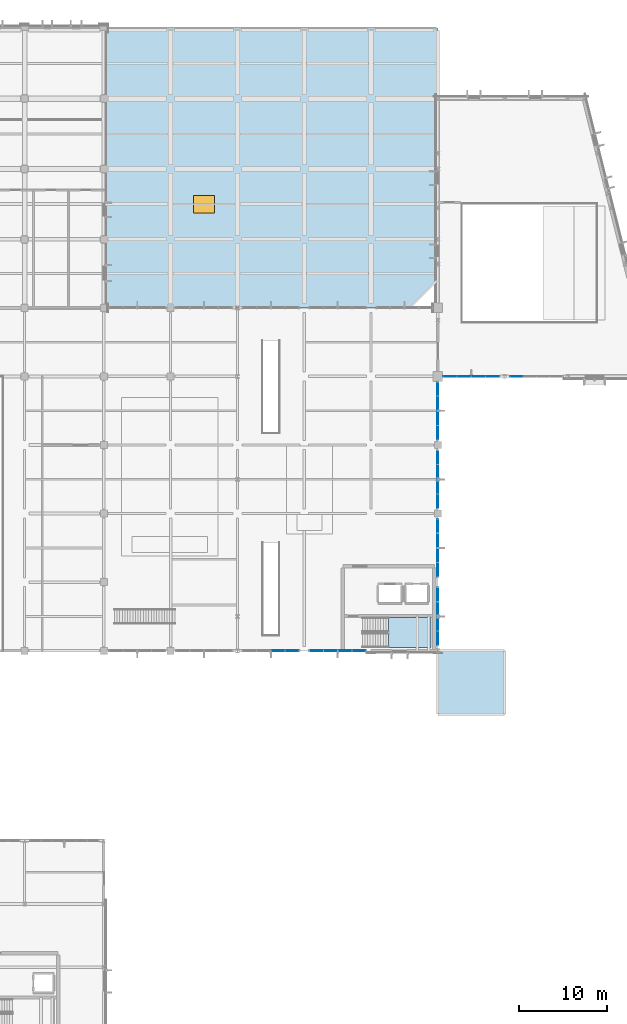
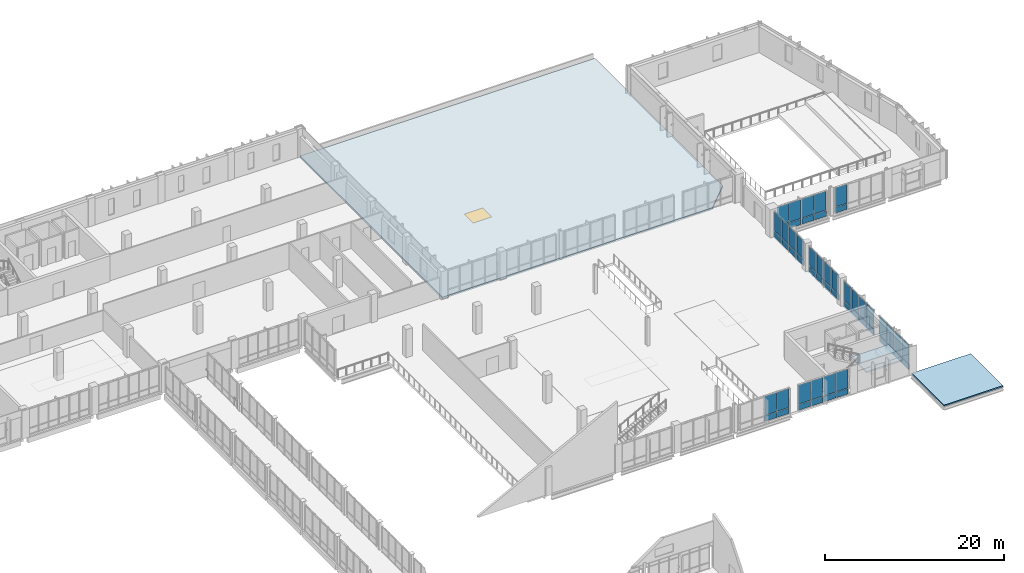
# One storey, part 49 of 85: 54 plates, 3 slabs, 1 window, 1 opening, 15 elements without a shape of their own.
"""IFC4 building model written with IfcOpenShell, lengths in metres."""

from ifc_helpers import new_model, si_unit, direction, frame, origin, origin_2d, place, context, subcontext, project, spatial, polyline, rectangle, outline, extrude, material, layer, layer_set, type_object, element, fill, aggregate, save


model = new_model("IFC4")

# Units and contexts
model_context = context("Model", 3, precision=1e-05, world=origin(), true_north=direction((0.0, 1.0)))
body_context = subcontext(model_context, "Body", "Model", "MODEL_VIEW")
ifc_project = project(units=[si_unit("LENGTHUNIT", "METRE"), si_unit("AREAUNIT", "SQUARE_METRE"), si_unit("VOLUMEUNIT", "CUBIC_METRE"), si_unit("PLANEANGLEUNIT", "RADIAN"), si_unit("MASSUNIT", "GRAM", prefix="KILO")], contexts=[model_context])

# Site, building, storey
site_placement = place(None, origin())
site = spatial("IfcSite", under=ifc_project, at=site_placement, CompositionType="ELEMENT")
building_placement = place(site_placement, origin())
building = spatial("IfcBuilding", under=site, at=building_placement, Name="Vervanel Yard Central Library", CompositionType="ELEMENT")
storey_placement = place(building_placement, frame((0.0, 0.0, 5.10009765625)))
storey = spatial("IfcBuildingStorey", under=building, at=storey_placement, Name="L01", CompositionType="ELEMENT", Elevation=5.10009765625)

# Curtain wall, plates
ifc_material_1 = material(Name="Thermally broken anodized aluminium 6063-T6", Category="aluminium")
curtain_wall_type_1 = type_object("IfcCurtainWallType", Name="Auditorium Foyer Curtain Wall", PredefinedType="NOTDEFINED", material=ifc_material_1)
curtain_wall_1_placement = place(storey_placement, origin())
curtain_wall_1 = element("IfcCurtainWall", 1, at=curtain_wall_1_placement, inside=storey, type_object=curtain_wall_type_1, Name="L01 Auditorium Foyer Curtain Wall CWR-L01-151", PredefinedType="NOTDEFINED")
ifc_material_2 = material(Name="Double low-E laminated solar-control glass", Category="glass")
ifc_layer_1 = layer(ifc_material_2, 0.035888671875, Category="glass")
ifc_layer_set_1 = layer_set([ifc_layer_1], Name="Double low-E laminated solar-control glass")
plate_type_1 = type_object("IfcPlateType", Name="Auditorium Foyer Tinted Panel 36", PredefinedType="CURTAIN_PANEL", material=ifc_layer_set_1)
plate_1_placement = place(storey_placement, frame((147.38623046875, 74.39990234375, 0.88232421875), z_axis=(0.0, 0.0, 1.0), x_axis=(1.0, 0.0, 0.0)))
plate_1 = element("IfcPlate", 2, at=plate_1_placement, type_object=plate_type_1, Name="CWR-L01-151 Panel B1-2", PredefinedType="CURTAIN_PANEL", context=body_context, shape_type="SweptSolid", body=[
    extrude(rectangle(XDim=1.5224609375, YDim=0.035888671875, at=origin_2d()), origin(), (0.0, 0.0, 1.0), 2.58251953125),
])
plate_2_placement = place(storey_placement, frame((148.9736328125, 74.39990234375, 0.88232421875), z_axis=(0.0, 0.0, 1.0), x_axis=(1.0, 0.0, 0.0)))
plate_2 = element("IfcPlate", 3, at=plate_2_placement, type_object=plate_type_1, Name="CWR-L01-151 Panel B2-2", PredefinedType="CURTAIN_PANEL", context=body_context, shape_type="SweptSolid", body=[
    extrude(rectangle(XDim=1.5224609375, YDim=0.035888671875, at=origin_2d()), origin(), (0.0, 0.0, 1.0), 2.58251953125),
])

curtain_wall_2_placement = place(storey_placement, origin())
curtain_wall_2 = element("IfcCurtainWall", 4, at=curtain_wall_2_placement, inside=storey, type_object=curtain_wall_type_1, Name="L01 Auditorium Foyer Curtain Wall CWR-L01-152", PredefinedType="NOTDEFINED")
plate_3_placement = place(storey_placement, frame((150.626220703125, 74.39990234375, 0.88232421875), z_axis=(0.0, 0.0, 1.0), x_axis=(1.0, 0.0, 0.0)))
plate_3 = element("IfcPlate", 5, at=plate_3_placement, type_object=plate_type_1, Name="CWR-L01-152 Panel B1-2", PredefinedType="CURTAIN_PANEL", context=body_context, shape_type="SweptSolid", body=[
    extrude(rectangle(XDim=1.5224609375, YDim=0.035888671875, at=origin_2d()), origin(), (0.0, 0.0, 1.0), 2.58251953125),
])
plate_4_placement = place(storey_placement, frame((152.2138671875, 74.39990234375, 0.88232421875), z_axis=(0.0, 0.0, 1.0), x_axis=(1.0, 0.0, 0.0)))
plate_4 = element("IfcPlate", 6, at=plate_4_placement, type_object=plate_type_1, Name="CWR-L01-152 Panel B2-2", PredefinedType="CURTAIN_PANEL", context=body_context, shape_type="SweptSolid", body=[
    extrude(rectangle(XDim=1.5224609375, YDim=0.035888671875, at=origin_2d()), origin(), (0.0, 0.0, 1.0), 2.58251953125),
])

# Curtain wall, plate
curtain_wall_3_placement = place(storey_placement, origin())
curtain_wall_3 = element("IfcCurtainWall", 7, at=curtain_wall_3_placement, inside=storey, type_object=curtain_wall_type_1, Name="L01 Auditorium Foyer Curtain Wall CWR-L01-153", PredefinedType="NOTDEFINED")
plate_5_placement = place(storey_placement, frame((154.9443359375, 74.39990234375, 0.88232421875), z_axis=(0.0, 0.0, 1.0), x_axis=(1.0, 0.0, 0.0)))
plate_5 = element("IfcPlate", 8, at=plate_5_placement, type_object=plate_type_1, Name="CWR-L01-153 Panel B1-2", PredefinedType="CURTAIN_PANEL", context=body_context, shape_type="SweptSolid", body=[
    extrude(rectangle(XDim=1.438720703125, YDim=0.035888671875, at=origin_2d()), origin(), (0.0, 0.0, 1.0), 2.58251953125),
])

# Stair, slab
ifc_material_3 = material(Name="Concrete C40/50", Category="concrete")
stair_type = type_object("IfcStairType", Name="Protected Core Dog-Leg Stair ST-05", PredefinedType="HALF_TURN_STAIR", material=ifc_material_3)
stair_placement = place(storey_placement, origin())
stair = element("IfcStair", 9, at=stair_placement, inside=storey, type_object=stair_type, Name="L01 CORE-E Protected Exit Stair", PredefinedType="HALF_TURN_STAIR")
ifc_layer_2 = layer(ifc_material_3, 0.199951171875, Category="concrete")
ifc_layer_set_2 = layer_set([ifc_layer_2], Name="Concrete C40/50")
slab_type_1 = type_object("IfcSlabType", Name="Core Stair Concrete Landing Slab 200", PredefinedType="LANDING", material=ifc_layer_set_2)
slab_1_placement = place(storey_placement, frame((0.0, 0.0, 1.719970703125)))
slab_1 = element("IfcSlab", 10, at=slab_1_placement, type_object=slab_type_1, Name="ST-05 landing 1", PredefinedType="LANDING", context=body_context, shape_type="SweptSolid", body=[
    extrude(outline(polyline([(140.39990234375, 43.60009765625), (145.199951171875, 43.60009765625), (145.199951171875, 46.9599609375), (140.39990234375, 46.9599609375), (140.39990234375, 43.60009765625)])), origin(), (0.0, 0.0, 1.0), 0.199951171875),
])
aggregate(stair, [slab_1])

# Slab
ifc_material_4 = material(Name="Concrete C45/55", Category="concrete")
ifc_layer_3 = layer(ifc_material_4, 0.169921875, Category="concrete")
ifc_layer_set_3 = layer_set([ifc_layer_3], Name="Concrete C45/55")
slab_type_2 = type_object("IfcSlabType", Name="Courtyard Bridge Canopy Slab 170", PredefinedType="ROOF", material=ifc_layer_set_3)
slab_2_placement = place(storey_placement, frame((0.0, 0.0, -0.170166015625)))
element("IfcSlab", 11, at=slab_2_placement, inside=storey, type_object=slab_type_2, Name="Southeast Arrival Entrance Canopy Roof", PredefinedType="ROOF", context=body_context, shape_type="SweptSolid", body=[
    extrude(outline(polyline([(146.0, 36.0), (153.60009765625, 36.0), (153.60009765625, 43.199951171875), (146.0, 43.199951171875), (146.0, 36.0)])), origin(), (0.0, 0.0, 1.0), 0.170166015625),
])

# Slab, opening, window
ifc_layer_4 = layer(ifc_material_3, 0.25, Category="concrete")
ifc_layer_set_4 = layer_set([ifc_layer_4], Name="Concrete C40/50")
slab_type_3 = type_object("IfcSlabType", Name="Flat Concrete Roof Slab 250", PredefinedType="ROOF", material=ifc_layer_set_4)
slab_3_placement = place(storey_placement, frame((0.0, 0.0, -0.25)))
slab_3 = element("IfcSlab", 12, at=slab_3_placement, inside=storey, type_object=slab_type_3, Name="L01 V1 Flat Concrete Roof Slab 250", PredefinedType="ROOF", context=body_context, shape_type="SweptSolid", body=[
    extrude(outline(polyline([(108.0, 82.199951171875), (142.800048828125, 82.199951171875), (146.0, 85.39990234375), (146.0, 114.0), (108.0, 114.0), (108.0, 82.199951171875)])), origin(), (0.0, 0.0, 1.0), 0.25),
])
opening_placement = place(slab_3_placement, frame((119.39990234375, 94.0, 0.0)))
opening = element("IfcOpeningElement", 13, at=opening_placement, cuts=slab_3, Name="Opening SK-04", PredefinedType="OPENING", context=body_context, shape_type="SweptSolid", body=[
    extrude(rectangle(XDim=2.39990234375, YDim=2.0, at=origin_2d()), frame((0.0, 0.0, -0.010009765625)), (0.0, 0.0, 1.0), 0.27001953125),
])
window_type = type_object("IfcWindowType", Name="Annex Daylight Skylight 2400x2000", PartitioningType="SINGLE_PANEL", PredefinedType="SKYLIGHT", material=ifc_material_2)
window_placement = place(opening_placement, frame((0.0, 0.0, 0.18994140625)))
window = element("IfcWindow", 14, at=window_placement, inside=storey, type_object=window_type, Name="L01 Annex Daylight Skylight 2400x2000 12", OverallHeight=2.0, OverallWidth=2.39990234375, PartitioningType="SINGLE_PANEL", PredefinedType="SKYLIGHT", context=body_context, shape_type="SweptSolid", body=[
    extrude(rectangle(XDim=2.39990234375, YDim=2.0, at=origin_2d()), origin(), (0.0, 0.0, 1.0), 0.06005859375),
])
fill(opening, window)

# Curtain wall, plates
curtain_wall_type_2 = type_object("IfcCurtainWallType", Name="Reading Hall Full-Height Curtain Wall", PredefinedType="NOTDEFINED", material=ifc_material_1)
curtain_wall_4_placement = place(storey_placement, origin())
curtain_wall_4 = element("IfcCurtainWall", 15, at=curtain_wall_4_placement, inside=storey, type_object=curtain_wall_type_2, Name="L01 Reading Hall Full-Height Curtain Wall CWR-L01-065", PredefinedType="NOTDEFINED")
ifc_layer_5 = layer(ifc_material_2, 0.0380859375, Category="glass")
ifc_layer_set_5 = layer_set([ifc_layer_5], Name="Double low-E laminated solar-control glass")
plate_type_2 = type_object("IfcPlateType", Name="Reading Hall Acoustic Vision Panel 38", PredefinedType="CURTAIN_PANEL", material=ifc_layer_set_5)
plate_6_placement = place(storey_placement, frame((127.827392578125, 43.199951171875, 0.884765625), z_axis=(0.0, 0.0, 1.0), x_axis=(1.0, 0.0, 0.0)))
plate_6 = element("IfcPlate", 16, at=plate_6_placement, type_object=plate_type_2, Name="CWR-L01-065 Panel B1-2", PredefinedType="CURTAIN_PANEL", context=body_context, shape_type="SweptSolid", body=[
    extrude(rectangle(XDim=1.514892578125, YDim=0.0380859375, at=origin_2d()), origin(), (0.0, 0.0, 1.0), 2.574951171875),
])
plate_7_placement = place(storey_placement, frame((129.41259765625, 43.199951171875, 0.884765625), z_axis=(0.0, 0.0, 1.0), x_axis=(1.0, 0.0, 0.0)))
plate_7 = element("IfcPlate", 17, at=plate_7_placement, type_object=plate_type_2, Name="CWR-L01-065 Panel B2-2", PredefinedType="CURTAIN_PANEL", context=body_context, shape_type="SweptSolid", body=[
    extrude(rectangle(XDim=1.514892578125, YDim=0.0380859375, at=origin_2d()), origin(), (0.0, 0.0, 1.0), 2.574951171875),
])

curtain_wall_5_placement = place(storey_placement, origin())
curtain_wall_5 = element("IfcCurtainWall", 18, at=curtain_wall_5_placement, inside=storey, type_object=curtain_wall_type_2, Name="L01 Reading Hall Full-Height Curtain Wall CWR-L01-066", PredefinedType="NOTDEFINED")
plate_8_placement = place(storey_placement, frame((132.1875, 43.199951171875, 0.884765625), z_axis=(0.0, 0.0, 1.0), x_axis=(1.0, 0.0, 0.0)))
plate_8 = element("IfcPlate", 19, at=plate_8_placement, type_object=plate_type_2, Name="CWR-L01-066 Panel B1-2", PredefinedType="CURTAIN_PANEL", context=body_context, shape_type="SweptSolid", body=[
    extrude(rectangle(XDim=1.514892578125, YDim=0.0380859375, at=origin_2d()), origin(), (0.0, 0.0, 1.0), 2.574951171875),
])
plate_9_placement = place(storey_placement, frame((133.7724609375, 43.199951171875, 0.884765625), z_axis=(0.0, 0.0, 1.0), x_axis=(1.0, 0.0, 0.0)))
plate_9 = element("IfcPlate", 20, at=plate_9_placement, type_object=plate_type_2, Name="CWR-L01-066 Panel B2-2", PredefinedType="CURTAIN_PANEL", context=body_context, shape_type="SweptSolid", body=[
    extrude(rectangle(XDim=1.514892578125, YDim=0.0380859375, at=origin_2d()), origin(), (0.0, 0.0, 1.0), 2.574951171875),
])

curtain_wall_6_placement = place(storey_placement, origin())
curtain_wall_6 = element("IfcCurtainWall", 21, at=curtain_wall_6_placement, inside=storey, type_object=curtain_wall_type_2, Name="L01 Reading Hall Full-Height Curtain Wall CWR-L01-067", PredefinedType="NOTDEFINED")
plate_10_placement = place(storey_placement, frame((135.427490234375, 43.199951171875, 0.884765625), z_axis=(0.0, 0.0, 1.0), x_axis=(1.0, 0.0, 0.0)))
plate_10 = element("IfcPlate", 22, at=plate_10_placement, type_object=plate_type_2, Name="CWR-L01-067 Panel B1-2", PredefinedType="CURTAIN_PANEL", context=body_context, shape_type="SweptSolid", body=[
    extrude(rectangle(XDim=1.514892578125, YDim=0.0380859375, at=origin_2d()), origin(), (0.0, 0.0, 1.0), 2.574951171875),
])
plate_11_placement = place(storey_placement, frame((137.012451171875, 43.199951171875, 0.884765625), z_axis=(0.0, 0.0, 1.0), x_axis=(1.0, 0.0, 0.0)))
plate_11 = element("IfcPlate", 23, at=plate_11_placement, type_object=plate_type_2, Name="CWR-L01-067 Panel B2-2", PredefinedType="CURTAIN_PANEL", context=body_context, shape_type="SweptSolid", body=[
    extrude(rectangle(XDim=1.514892578125, YDim=0.0380859375, at=origin_2d()), origin(), (0.0, 0.0, 1.0), 2.574951171875),
])

curtain_wall_type_3 = type_object("IfcCurtainWallType", Name="Prow Cantilever Glazed Curtain Wall", PredefinedType="NOTDEFINED", material=ifc_material_1)
curtain_wall_7_placement = place(storey_placement, origin())
curtain_wall_7 = element("IfcCurtainWall", 24, at=curtain_wall_7_placement, inside=storey, type_object=curtain_wall_type_3, Name="L01 Prow Cantilever Glazed Curtain Wall CWR-L01-124", PredefinedType="NOTDEFINED")
plate_12_placement = place(storey_placement, frame((146.0, 44.612548828125, 0.884765625), z_axis=(0.0, 0.0, 1.0), x_axis=(0.0, 1.0, 0.0)))
plate_12 = element("IfcPlate", 25, at=plate_12_placement, type_object=plate_type_2, Name="CWR-L01-124 Panel B1-2", PredefinedType="CURTAIN_PANEL", context=body_context, shape_type="SweptSolid", body=[
    extrude(rectangle(XDim=1.56494140625, YDim=0.0380859375, at=origin_2d()), origin(), (0.0, 0.0, 1.0), 2.574951171875),
])
plate_13_placement = place(storey_placement, frame((146.0, 46.24755859375, 0.884765625), z_axis=(0.0, 0.0, 1.0), x_axis=(0.0, 1.0, 0.0)))
plate_13 = element("IfcPlate", 26, at=plate_13_placement, type_object=plate_type_2, Name="CWR-L01-124 Panel B2-2", PredefinedType="CURTAIN_PANEL", context=body_context, shape_type="SweptSolid", body=[
    extrude(rectangle(XDim=1.56494140625, YDim=0.0380859375, at=origin_2d()), origin(), (0.0, 0.0, 1.0), 2.574951171875),
])

curtain_wall_8_placement = place(storey_placement, origin())
curtain_wall_8 = element("IfcCurtainWall", 27, at=curtain_wall_8_placement, inside=storey, type_object=curtain_wall_type_3, Name="L01 Prow Cantilever Glazed Curtain Wall CWR-L01-125", PredefinedType="NOTDEFINED")
plate_14_placement = place(storey_placement, frame((146.0, 47.952392578125, 0.884765625), z_axis=(0.0, 0.0, 1.0), x_axis=(0.0, 1.0, 0.0)))
plate_14 = element("IfcPlate", 28, at=plate_14_placement, type_object=plate_type_2, Name="CWR-L01-125 Panel B1-2", PredefinedType="CURTAIN_PANEL", context=body_context, shape_type="SweptSolid", body=[
    extrude(rectangle(XDim=1.56494140625, YDim=0.0380859375, at=origin_2d()), origin(), (0.0, 0.0, 1.0), 2.574951171875),
])
plate_15_placement = place(storey_placement, frame((146.0, 49.58740234375, 0.884765625), z_axis=(0.0, 0.0, 1.0), x_axis=(0.0, 1.0, 0.0)))
plate_15 = element("IfcPlate", 29, at=plate_15_placement, type_object=plate_type_2, Name="CWR-L01-125 Panel B2-2", PredefinedType="CURTAIN_PANEL", context=body_context, shape_type="SweptSolid", body=[
    extrude(rectangle(XDim=1.56494140625, YDim=0.0380859375, at=origin_2d()), origin(), (0.0, 0.0, 1.0), 2.574951171875),
])

curtain_wall_9_placement = place(storey_placement, origin())
curtain_wall_9 = element("IfcCurtainWall", 30, at=curtain_wall_9_placement, inside=storey, type_object=curtain_wall_type_3, Name="L01 Prow Cantilever Glazed Curtain Wall CWR-L01-126", PredefinedType="NOTDEFINED")
plate_16_placement = place(storey_placement, frame((146.0, 52.41259765625, 0.884765625), z_axis=(0.0, 0.0, 1.0), x_axis=(0.0, 1.0, 0.0)))
plate_16 = element("IfcPlate", 31, at=plate_16_placement, type_object=plate_type_2, Name="CWR-L01-126 Panel B1-2", PredefinedType="CURTAIN_PANEL", context=body_context, shape_type="SweptSolid", body=[
    extrude(rectangle(XDim=1.56494140625, YDim=0.0380859375, at=origin_2d()), origin(), (0.0, 0.0, 1.0), 2.574951171875),
])
plate_17_placement = place(storey_placement, frame((146.0, 54.047607421875, 0.884765625), z_axis=(0.0, 0.0, 1.0), x_axis=(0.0, 1.0, 0.0)))
plate_17 = element("IfcPlate", 32, at=plate_17_placement, type_object=plate_type_2, Name="CWR-L01-126 Panel B2-2", PredefinedType="CURTAIN_PANEL", context=body_context, shape_type="SweptSolid", body=[
    extrude(rectangle(XDim=1.56494140625, YDim=0.0380859375, at=origin_2d()), origin(), (0.0, 0.0, 1.0), 2.574951171875),
])

curtain_wall_10_placement = place(storey_placement, origin())
curtain_wall_10 = element("IfcCurtainWall", 33, at=curtain_wall_10_placement, inside=storey, type_object=curtain_wall_type_3, Name="L01 Prow Cantilever Glazed Curtain Wall CWR-L01-127", PredefinedType="NOTDEFINED")
plate_18_placement = place(storey_placement, frame((146.0, 55.75244140625, 0.884765625), z_axis=(0.0, 0.0, 1.0), x_axis=(0.0, 1.0, 0.0)))
plate_18 = element("IfcPlate", 34, at=plate_18_placement, type_object=plate_type_2, Name="CWR-L01-127 Panel B1-2", PredefinedType="CURTAIN_PANEL", context=body_context, shape_type="SweptSolid", body=[
    extrude(rectangle(XDim=1.56494140625, YDim=0.0380859375, at=origin_2d()), origin(), (0.0, 0.0, 1.0), 2.574951171875),
])
plate_19_placement = place(storey_placement, frame((146.0, 57.387451171875, 0.884765625), z_axis=(0.0, 0.0, 1.0), x_axis=(0.0, 1.0, 0.0)))
plate_19 = element("IfcPlate", 35, at=plate_19_placement, type_object=plate_type_2, Name="CWR-L01-127 Panel B2-2", PredefinedType="CURTAIN_PANEL", context=body_context, shape_type="SweptSolid", body=[
    extrude(rectangle(XDim=1.56494140625, YDim=0.0380859375, at=origin_2d()), origin(), (0.0, 0.0, 1.0), 2.574951171875),
])

curtain_wall_11_placement = place(storey_placement, origin())
curtain_wall_11 = element("IfcCurtainWall", 36, at=curtain_wall_11_placement, inside=storey, type_object=curtain_wall_type_3, Name="L01 Prow Cantilever Glazed Curtain Wall CWR-L01-128", PredefinedType="NOTDEFINED")
plate_20_placement = place(storey_placement, frame((146.0, 60.21240234375, 0.884765625), z_axis=(0.0, 0.0, 1.0), x_axis=(0.0, 1.0, 0.0)))
plate_20 = element("IfcPlate", 37, at=plate_20_placement, type_object=plate_type_2, Name="CWR-L01-128 Panel B1-2", PredefinedType="CURTAIN_PANEL", context=body_context, shape_type="SweptSolid", body=[
    extrude(rectangle(XDim=1.56494140625, YDim=0.0380859375, at=origin_2d()), origin(), (0.0, 0.0, 1.0), 2.574951171875),
])
plate_21_placement = place(storey_placement, frame((146.0, 61.847412109375, 0.884765625), z_axis=(0.0, 0.0, 1.0), x_axis=(0.0, 1.0, 0.0)))
plate_21 = element("IfcPlate", 38, at=plate_21_placement, type_object=plate_type_2, Name="CWR-L01-128 Panel B2-2", PredefinedType="CURTAIN_PANEL", context=body_context, shape_type="SweptSolid", body=[
    extrude(rectangle(XDim=1.56494140625, YDim=0.0380859375, at=origin_2d()), origin(), (0.0, 0.0, 1.0), 2.574951171875),
])

curtain_wall_12_placement = place(storey_placement, origin())
curtain_wall_12 = element("IfcCurtainWall", 39, at=curtain_wall_12_placement, inside=storey, type_object=curtain_wall_type_3, Name="L01 Prow Cantilever Glazed Curtain Wall CWR-L01-129", PredefinedType="NOTDEFINED")
plate_22_placement = place(storey_placement, frame((146.0, 63.552490234375, 0.884765625), z_axis=(0.0, 0.0, 1.0), x_axis=(0.0, 1.0, 0.0)))
plate_22 = element("IfcPlate", 40, at=plate_22_placement, type_object=plate_type_2, Name="CWR-L01-129 Panel B1-2", PredefinedType="CURTAIN_PANEL", context=body_context, shape_type="SweptSolid", body=[
    extrude(rectangle(XDim=1.56494140625, YDim=0.0380859375, at=origin_2d()), origin(), (0.0, 0.0, 1.0), 2.574951171875),
])
plate_23_placement = place(storey_placement, frame((146.0, 65.1875, 0.884765625), z_axis=(0.0, 0.0, 1.0), x_axis=(0.0, 1.0, 0.0)))
plate_23 = element("IfcPlate", 41, at=plate_23_placement, type_object=plate_type_2, Name="CWR-L01-129 Panel B2-2", PredefinedType="CURTAIN_PANEL", context=body_context, shape_type="SweptSolid", body=[
    extrude(rectangle(XDim=1.56494140625, YDim=0.0380859375, at=origin_2d()), origin(), (0.0, 0.0, 1.0), 2.574951171875),
])

curtain_wall_13_placement = place(storey_placement, origin())
curtain_wall_13 = element("IfcCurtainWall", 42, at=curtain_wall_13_placement, inside=storey, type_object=curtain_wall_type_3, Name="L01 Prow Cantilever Glazed Curtain Wall CWR-L01-130", PredefinedType="NOTDEFINED")
plate_24_placement = place(storey_placement, frame((146.0, 68.012451171875, 0.884765625), z_axis=(0.0, 0.0, 1.0), x_axis=(0.0, 1.0, 0.0)))
plate_24 = element("IfcPlate", 43, at=plate_24_placement, type_object=plate_type_2, Name="CWR-L01-130 Panel B1-2", PredefinedType="CURTAIN_PANEL", context=body_context, shape_type="SweptSolid", body=[
    extrude(rectangle(XDim=1.56494140625, YDim=0.0380859375, at=origin_2d()), origin(), (0.0, 0.0, 1.0), 2.574951171875),
])
plate_25_placement = place(storey_placement, frame((146.0, 69.6474609375, 0.884765625), z_axis=(0.0, 0.0, 1.0), x_axis=(0.0, 1.0, 0.0)))
plate_25 = element("IfcPlate", 44, at=plate_25_placement, type_object=plate_type_2, Name="CWR-L01-130 Panel B2-2", PredefinedType="CURTAIN_PANEL", context=body_context, shape_type="SweptSolid", body=[
    extrude(rectangle(XDim=1.56494140625, YDim=0.0380859375, at=origin_2d()), origin(), (0.0, 0.0, 1.0), 2.574951171875),
])

curtain_wall_14_placement = place(storey_placement, origin())
curtain_wall_14 = element("IfcCurtainWall", 45, at=curtain_wall_14_placement, inside=storey, type_object=curtain_wall_type_3, Name="L01 Prow Cantilever Glazed Curtain Wall CWR-L01-131", PredefinedType="NOTDEFINED")
plate_26_placement = place(storey_placement, frame((146.0, 71.3525390625, 0.884765625), z_axis=(0.0, 0.0, 1.0), x_axis=(0.0, 1.0, 0.0)))
plate_26 = element("IfcPlate", 46, at=plate_26_placement, type_object=plate_type_2, Name="CWR-L01-131 Panel B1-2", PredefinedType="CURTAIN_PANEL", context=body_context, shape_type="SweptSolid", body=[
    extrude(rectangle(XDim=1.56494140625, YDim=0.0380859375, at=origin_2d()), origin(), (0.0, 0.0, 1.0), 2.574951171875),
])
plate_27_placement = place(storey_placement, frame((146.0, 72.987548828125, 0.884765625), z_axis=(0.0, 0.0, 1.0), x_axis=(0.0, 1.0, 0.0)))
plate_27 = element("IfcPlate", 47, at=plate_27_placement, type_object=plate_type_2, Name="CWR-L01-131 Panel B2-2", PredefinedType="CURTAIN_PANEL", context=body_context, shape_type="SweptSolid", body=[
    extrude(rectangle(XDim=1.56494140625, YDim=0.0380859375, at=origin_2d()), origin(), (0.0, 0.0, 1.0), 2.574951171875),
])

# Plate
ifc_material_5 = material(Name="Insulated bronze aluminium spandrel panel", Category="aluminium")
ifc_layer_6 = layer(ifc_material_5, 0.094970703125, Category="aluminium")
ifc_layer_set_6 = layer_set([ifc_layer_6], Name="Insulated bronze aluminium spandrel panel")
plate_type_3 = type_object("IfcPlateType", Name="Reading Hall Shadow-Box Spandrel 95", PredefinedType="CURTAIN_PANEL", material=ifc_layer_set_6)
plate_28_placement = place(storey_placement, frame((127.827392578125, 43.199951171875, 0.06982421875), z_axis=(0.0, 0.0, 1.0), x_axis=(1.0, 0.0, 0.0)))
plate_28 = element("IfcPlate", 48, at=plate_28_placement, type_object=plate_type_3, Name="CWR-L01-065 Panel B1-1", PredefinedType="CURTAIN_PANEL", context=body_context, shape_type="SweptSolid", body=[
    extrude(rectangle(XDim=1.514892578125, YDim=0.094970703125, at=origin_2d()), origin(), (0.0, 0.0, 1.0), 0.7451171875),
])

plate_29_placement = place(storey_placement, frame((129.41259765625, 43.199951171875, 0.06982421875), z_axis=(0.0, 0.0, 1.0), x_axis=(1.0, 0.0, 0.0)))
plate_29 = element("IfcPlate", 49, at=plate_29_placement, type_object=plate_type_3, Name="CWR-L01-065 Panel B2-1", PredefinedType="CURTAIN_PANEL", context=body_context, shape_type="SweptSolid", body=[
    extrude(rectangle(XDim=1.514892578125, YDim=0.094970703125, at=origin_2d()), origin(), (0.0, 0.0, 1.0), 0.7451171875),
])

aggregate(curtain_wall_4, [plate_28, plate_6, plate_29, plate_7])

plate_30_placement = place(storey_placement, frame((132.1875, 43.199951171875, 0.06982421875), z_axis=(0.0, 0.0, 1.0), x_axis=(1.0, 0.0, 0.0)))
plate_30 = element("IfcPlate", 50, at=plate_30_placement, type_object=plate_type_3, Name="CWR-L01-066 Panel B1-1", PredefinedType="CURTAIN_PANEL", context=body_context, shape_type="SweptSolid", body=[
    extrude(rectangle(XDim=1.514892578125, YDim=0.094970703125, at=origin_2d()), origin(), (0.0, 0.0, 1.0), 0.7451171875),
])

plate_31_placement = place(storey_placement, frame((133.7724609375, 43.199951171875, 0.06982421875), z_axis=(0.0, 0.0, 1.0), x_axis=(1.0, 0.0, 0.0)))
plate_31 = element("IfcPlate", 51, at=plate_31_placement, type_object=plate_type_3, Name="CWR-L01-066 Panel B2-1", PredefinedType="CURTAIN_PANEL", context=body_context, shape_type="SweptSolid", body=[
    extrude(rectangle(XDim=1.514892578125, YDim=0.094970703125, at=origin_2d()), origin(), (0.0, 0.0, 1.0), 0.7451171875),
])

aggregate(curtain_wall_5, [plate_30, plate_8, plate_31, plate_9])

plate_32_placement = place(storey_placement, frame((135.427490234375, 43.199951171875, 0.06982421875), z_axis=(0.0, 0.0, 1.0), x_axis=(1.0, 0.0, 0.0)))
plate_32 = element("IfcPlate", 52, at=plate_32_placement, type_object=plate_type_3, Name="CWR-L01-067 Panel B1-1", PredefinedType="CURTAIN_PANEL", context=body_context, shape_type="SweptSolid", body=[
    extrude(rectangle(XDim=1.514892578125, YDim=0.094970703125, at=origin_2d()), origin(), (0.0, 0.0, 1.0), 0.7451171875),
])

plate_33_placement = place(storey_placement, frame((137.012451171875, 43.199951171875, 0.06982421875), z_axis=(0.0, 0.0, 1.0), x_axis=(1.0, 0.0, 0.0)))
plate_33 = element("IfcPlate", 53, at=plate_33_placement, type_object=plate_type_3, Name="CWR-L01-067 Panel B2-1", PredefinedType="CURTAIN_PANEL", context=body_context, shape_type="SweptSolid", body=[
    extrude(rectangle(XDim=1.514892578125, YDim=0.094970703125, at=origin_2d()), origin(), (0.0, 0.0, 1.0), 0.7451171875),
])

aggregate(curtain_wall_6, [plate_32, plate_10, plate_33, plate_11])

plate_34_placement = place(storey_placement, frame((146.0, 44.612548828125, 0.06982421875), z_axis=(0.0, 0.0, 1.0), x_axis=(0.0, 1.0, 0.0)))
plate_34 = element("IfcPlate", 54, at=plate_34_placement, type_object=plate_type_3, Name="CWR-L01-124 Panel B1-1", PredefinedType="CURTAIN_PANEL", context=body_context, shape_type="SweptSolid", body=[
    extrude(rectangle(XDim=1.56494140625, YDim=0.094970703125, at=origin_2d()), origin(), (0.0, 0.0, 1.0), 0.7451171875),
])

plate_35_placement = place(storey_placement, frame((146.0, 46.24755859375, 0.06982421875), z_axis=(0.0, 0.0, 1.0), x_axis=(0.0, 1.0, 0.0)))
plate_35 = element("IfcPlate", 55, at=plate_35_placement, type_object=plate_type_3, Name="CWR-L01-124 Panel B2-1", PredefinedType="CURTAIN_PANEL", context=body_context, shape_type="SweptSolid", body=[
    extrude(rectangle(XDim=1.56494140625, YDim=0.094970703125, at=origin_2d()), origin(), (0.0, 0.0, 1.0), 0.7451171875),
])

aggregate(curtain_wall_7, [plate_34, plate_12, plate_35, plate_13])

plate_36_placement = place(storey_placement, frame((146.0, 47.952392578125, 0.06982421875), z_axis=(0.0, 0.0, 1.0), x_axis=(0.0, 1.0, 0.0)))
plate_36 = element("IfcPlate", 56, at=plate_36_placement, type_object=plate_type_3, Name="CWR-L01-125 Panel B1-1", PredefinedType="CURTAIN_PANEL", context=body_context, shape_type="SweptSolid", body=[
    extrude(rectangle(XDim=1.56494140625, YDim=0.094970703125, at=origin_2d()), origin(), (0.0, 0.0, 1.0), 0.7451171875),
])

plate_37_placement = place(storey_placement, frame((146.0, 49.58740234375, 0.06982421875), z_axis=(0.0, 0.0, 1.0), x_axis=(0.0, 1.0, 0.0)))
plate_37 = element("IfcPlate", 57, at=plate_37_placement, type_object=plate_type_3, Name="CWR-L01-125 Panel B2-1", PredefinedType="CURTAIN_PANEL", context=body_context, shape_type="SweptSolid", body=[
    extrude(rectangle(XDim=1.56494140625, YDim=0.094970703125, at=origin_2d()), origin(), (0.0, 0.0, 1.0), 0.7451171875),
])

aggregate(curtain_wall_8, [plate_36, plate_14, plate_37, plate_15])

plate_38_placement = place(storey_placement, frame((146.0, 52.41259765625, 0.06982421875), z_axis=(0.0, 0.0, 1.0), x_axis=(0.0, 1.0, 0.0)))
plate_38 = element("IfcPlate", 58, at=plate_38_placement, type_object=plate_type_3, Name="CWR-L01-126 Panel B1-1", PredefinedType="CURTAIN_PANEL", context=body_context, shape_type="SweptSolid", body=[
    extrude(rectangle(XDim=1.56494140625, YDim=0.094970703125, at=origin_2d()), origin(), (0.0, 0.0, 1.0), 0.7451171875),
])

plate_39_placement = place(storey_placement, frame((146.0, 54.047607421875, 0.06982421875), z_axis=(0.0, 0.0, 1.0), x_axis=(0.0, 1.0, 0.0)))
plate_39 = element("IfcPlate", 59, at=plate_39_placement, type_object=plate_type_3, Name="CWR-L01-126 Panel B2-1", PredefinedType="CURTAIN_PANEL", context=body_context, shape_type="SweptSolid", body=[
    extrude(rectangle(XDim=1.56494140625, YDim=0.094970703125, at=origin_2d()), origin(), (0.0, 0.0, 1.0), 0.7451171875),
])

aggregate(curtain_wall_9, [plate_38, plate_16, plate_39, plate_17])

plate_40_placement = place(storey_placement, frame((146.0, 55.75244140625, 0.06982421875), z_axis=(0.0, 0.0, 1.0), x_axis=(0.0, 1.0, 0.0)))
plate_40 = element("IfcPlate", 60, at=plate_40_placement, type_object=plate_type_3, Name="CWR-L01-127 Panel B1-1", PredefinedType="CURTAIN_PANEL", context=body_context, shape_type="SweptSolid", body=[
    extrude(rectangle(XDim=1.56494140625, YDim=0.094970703125, at=origin_2d()), origin(), (0.0, 0.0, 1.0), 0.7451171875),
])

plate_41_placement = place(storey_placement, frame((146.0, 57.387451171875, 0.06982421875), z_axis=(0.0, 0.0, 1.0), x_axis=(0.0, 1.0, 0.0)))
plate_41 = element("IfcPlate", 61, at=plate_41_placement, type_object=plate_type_3, Name="CWR-L01-127 Panel B2-1", PredefinedType="CURTAIN_PANEL", context=body_context, shape_type="SweptSolid", body=[
    extrude(rectangle(XDim=1.56494140625, YDim=0.094970703125, at=origin_2d()), origin(), (0.0, 0.0, 1.0), 0.7451171875),
])

aggregate(curtain_wall_10, [plate_40, plate_18, plate_41, plate_19])

plate_42_placement = place(storey_placement, frame((146.0, 60.21240234375, 0.06982421875), z_axis=(0.0, 0.0, 1.0), x_axis=(0.0, 1.0, 0.0)))
plate_42 = element("IfcPlate", 62, at=plate_42_placement, type_object=plate_type_3, Name="CWR-L01-128 Panel B1-1", PredefinedType="CURTAIN_PANEL", context=body_context, shape_type="SweptSolid", body=[
    extrude(rectangle(XDim=1.56494140625, YDim=0.094970703125, at=origin_2d()), origin(), (0.0, 0.0, 1.0), 0.7451171875),
])

plate_43_placement = place(storey_placement, frame((146.0, 61.847412109375, 0.06982421875), z_axis=(0.0, 0.0, 1.0), x_axis=(0.0, 1.0, 0.0)))
plate_43 = element("IfcPlate", 63, at=plate_43_placement, type_object=plate_type_3, Name="CWR-L01-128 Panel B2-1", PredefinedType="CURTAIN_PANEL", context=body_context, shape_type="SweptSolid", body=[
    extrude(rectangle(XDim=1.56494140625, YDim=0.094970703125, at=origin_2d()), origin(), (0.0, 0.0, 1.0), 0.7451171875),
])

aggregate(curtain_wall_11, [plate_42, plate_20, plate_43, plate_21])

plate_44_placement = place(storey_placement, frame((146.0, 63.552490234375, 0.06982421875), z_axis=(0.0, 0.0, 1.0), x_axis=(0.0, 1.0, 0.0)))
plate_44 = element("IfcPlate", 64, at=plate_44_placement, type_object=plate_type_3, Name="CWR-L01-129 Panel B1-1", PredefinedType="CURTAIN_PANEL", context=body_context, shape_type="SweptSolid", body=[
    extrude(rectangle(XDim=1.56494140625, YDim=0.094970703125, at=origin_2d()), origin(), (0.0, 0.0, 1.0), 0.7451171875),
])

plate_45_placement = place(storey_placement, frame((146.0, 65.1875, 0.06982421875), z_axis=(0.0, 0.0, 1.0), x_axis=(0.0, 1.0, 0.0)))
plate_45 = element("IfcPlate", 65, at=plate_45_placement, type_object=plate_type_3, Name="CWR-L01-129 Panel B2-1", PredefinedType="CURTAIN_PANEL", context=body_context, shape_type="SweptSolid", body=[
    extrude(rectangle(XDim=1.56494140625, YDim=0.094970703125, at=origin_2d()), origin(), (0.0, 0.0, 1.0), 0.7451171875),
])

aggregate(curtain_wall_12, [plate_44, plate_22, plate_45, plate_23])

plate_46_placement = place(storey_placement, frame((146.0, 68.012451171875, 0.06982421875), z_axis=(0.0, 0.0, 1.0), x_axis=(0.0, 1.0, 0.0)))
plate_46 = element("IfcPlate", 66, at=plate_46_placement, type_object=plate_type_3, Name="CWR-L01-130 Panel B1-1", PredefinedType="CURTAIN_PANEL", context=body_context, shape_type="SweptSolid", body=[
    extrude(rectangle(XDim=1.56494140625, YDim=0.094970703125, at=origin_2d()), origin(), (0.0, 0.0, 1.0), 0.7451171875),
])

plate_47_placement = place(storey_placement, frame((146.0, 69.6474609375, 0.06982421875), z_axis=(0.0, 0.0, 1.0), x_axis=(0.0, 1.0, 0.0)))
plate_47 = element("IfcPlate", 67, at=plate_47_placement, type_object=plate_type_3, Name="CWR-L01-130 Panel B2-1", PredefinedType="CURTAIN_PANEL", context=body_context, shape_type="SweptSolid", body=[
    extrude(rectangle(XDim=1.56494140625, YDim=0.094970703125, at=origin_2d()), origin(), (0.0, 0.0, 1.0), 0.7451171875),
])

aggregate(curtain_wall_13, [plate_46, plate_24, plate_47, plate_25])

plate_48_placement = place(storey_placement, frame((146.0, 71.3525390625, 0.06982421875), z_axis=(0.0, 0.0, 1.0), x_axis=(0.0, 1.0, 0.0)))
plate_48 = element("IfcPlate", 68, at=plate_48_placement, type_object=plate_type_3, Name="CWR-L01-131 Panel B1-1", PredefinedType="CURTAIN_PANEL", context=body_context, shape_type="SweptSolid", body=[
    extrude(rectangle(XDim=1.56494140625, YDim=0.094970703125, at=origin_2d()), origin(), (0.0, 0.0, 1.0), 0.7451171875),
])

plate_49_placement = place(storey_placement, frame((146.0, 72.987548828125, 0.06982421875), z_axis=(0.0, 0.0, 1.0), x_axis=(0.0, 1.0, 0.0)))
plate_49 = element("IfcPlate", 69, at=plate_49_placement, type_object=plate_type_3, Name="CWR-L01-131 Panel B2-1", PredefinedType="CURTAIN_PANEL", context=body_context, shape_type="SweptSolid", body=[
    extrude(rectangle(XDim=1.56494140625, YDim=0.094970703125, at=origin_2d()), origin(), (0.0, 0.0, 1.0), 0.7451171875),
])

aggregate(curtain_wall_14, [plate_48, plate_26, plate_49, plate_27])

ifc_layer_7 = layer(ifc_material_5, 0.110107421875, Category="aluminium")
ifc_layer_set_7 = layer_set([ifc_layer_7], Name="Insulated bronze aluminium spandrel panel")
plate_type_4 = type_object("IfcPlateType", Name="Slab-Edge Fire-Stop Spandrel 110", PredefinedType="CURTAIN_PANEL", material=ifc_layer_set_7)
plate_50_placement = place(storey_placement, frame((147.38623046875, 74.39990234375, 0.06494140625), z_axis=(0.0, 0.0, 1.0), x_axis=(1.0, 0.0, 0.0)))
plate_50 = element("IfcPlate", 70, at=plate_50_placement, type_object=plate_type_4, Name="CWR-L01-151 Panel B1-1", PredefinedType="CURTAIN_PANEL", context=body_context, shape_type="SweptSolid", body=[
    extrude(rectangle(XDim=1.5224609375, YDim=0.110107421875, at=origin_2d()), origin(), (0.0, 0.0, 1.0), 0.75244140625),
])

plate_51_placement = place(storey_placement, frame((148.9736328125, 74.39990234375, 0.06494140625), z_axis=(0.0, 0.0, 1.0), x_axis=(1.0, 0.0, 0.0)))
plate_51 = element("IfcPlate", 71, at=plate_51_placement, type_object=plate_type_4, Name="CWR-L01-151 Panel B2-1", PredefinedType="CURTAIN_PANEL", context=body_context, shape_type="SweptSolid", body=[
    extrude(rectangle(XDim=1.5224609375, YDim=0.110107421875, at=origin_2d()), origin(), (0.0, 0.0, 1.0), 0.75244140625),
])

aggregate(curtain_wall_1, [plate_50, plate_1, plate_51, plate_2])

plate_52_placement = place(storey_placement, frame((150.626220703125, 74.39990234375, 0.06494140625), z_axis=(0.0, 0.0, 1.0), x_axis=(1.0, 0.0, 0.0)))
plate_52 = element("IfcPlate", 72, at=plate_52_placement, type_object=plate_type_4, Name="CWR-L01-152 Panel B1-1", PredefinedType="CURTAIN_PANEL", context=body_context, shape_type="SweptSolid", body=[
    extrude(rectangle(XDim=1.5224609375, YDim=0.110107421875, at=origin_2d()), origin(), (0.0, 0.0, 1.0), 0.75244140625),
])

plate_53_placement = place(storey_placement, frame((152.2138671875, 74.39990234375, 0.06494140625), z_axis=(0.0, 0.0, 1.0), x_axis=(1.0, 0.0, 0.0)))
plate_53 = element("IfcPlate", 73, at=plate_53_placement, type_object=plate_type_4, Name="CWR-L01-152 Panel B2-1", PredefinedType="CURTAIN_PANEL", context=body_context, shape_type="SweptSolid", body=[
    extrude(rectangle(XDim=1.5224609375, YDim=0.110107421875, at=origin_2d()), origin(), (0.0, 0.0, 1.0), 0.75244140625),
])

aggregate(curtain_wall_2, [plate_52, plate_3, plate_53, plate_4])

plate_54_placement = place(storey_placement, frame((154.9443359375, 74.39990234375, 0.06494140625), z_axis=(0.0, 0.0, 1.0), x_axis=(1.0, 0.0, 0.0)))
plate_54 = element("IfcPlate", 74, at=plate_54_placement, type_object=plate_type_4, Name="CWR-L01-153 Panel B1-1", PredefinedType="CURTAIN_PANEL", context=body_context, shape_type="SweptSolid", body=[
    extrude(rectangle(XDim=1.438720703125, YDim=0.110107421875, at=origin_2d()), origin(), (0.0, 0.0, 1.0), 0.75244140625),
])

aggregate(curtain_wall_3, [plate_54, plate_5])

save(model, "model.ifc")
